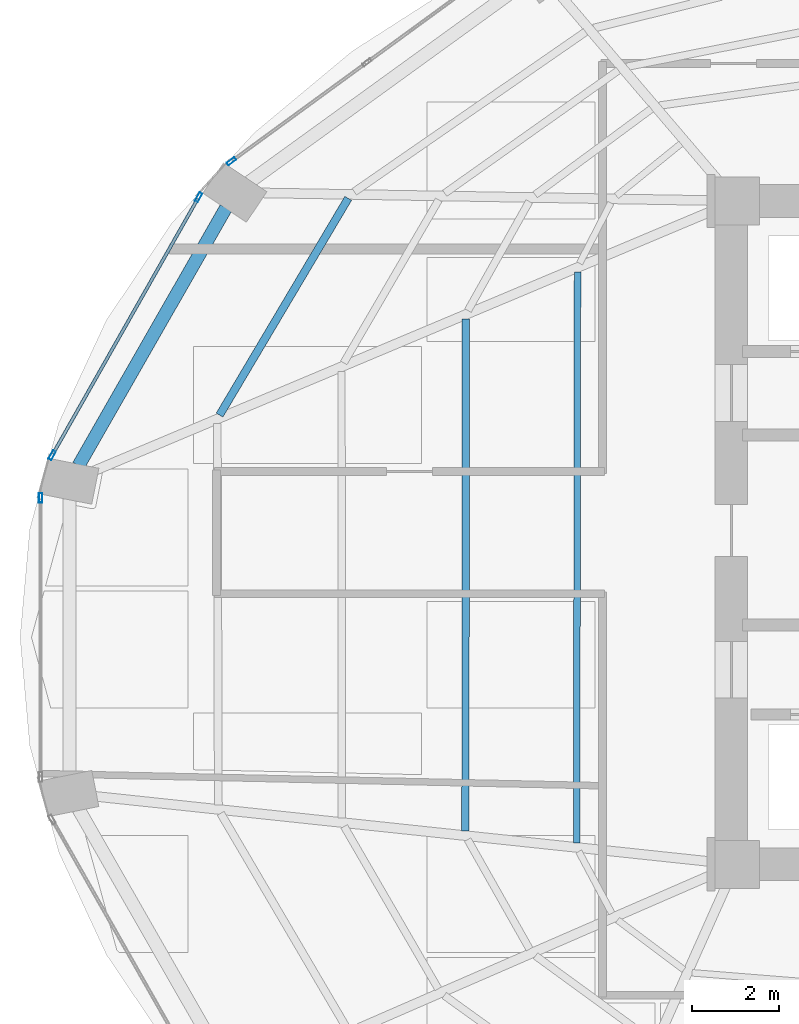
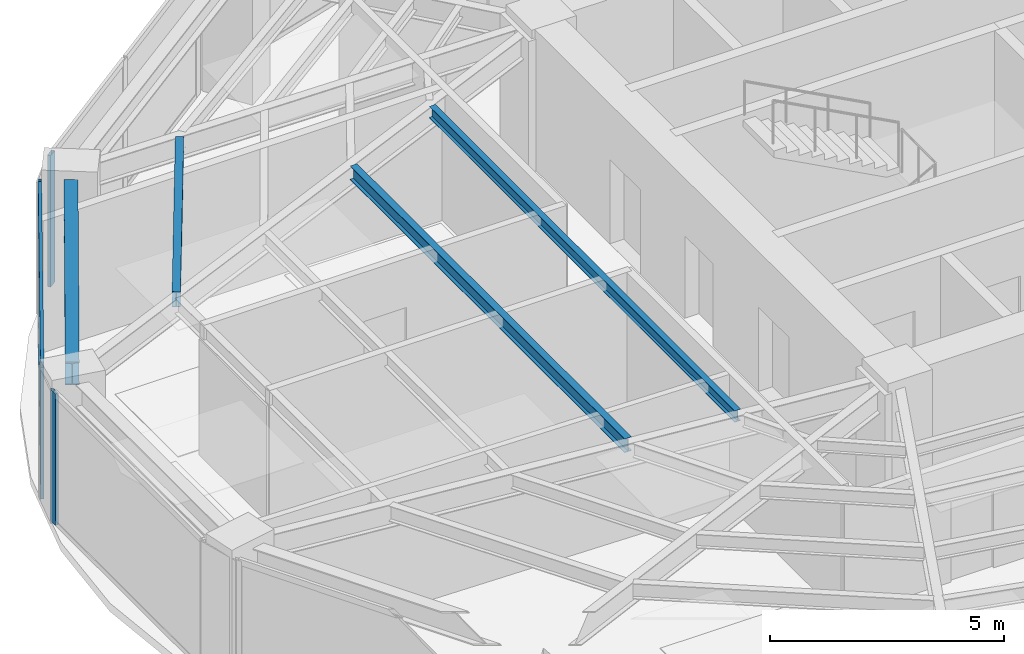
# One storey, part 8 of 23: 6 members, 4 beams, 3 elements without a shape of their own.
"""IFC4 building model written with IfcOpenShell, lengths in metres."""

from ifc_helpers import new_model, si_unit, direction, frame, origin, origin_2d, place, context, subcontext, project, spatial, hollow_rectangle, i_section, extrude, material, layer, layer_set, material_profile, profile_set, type_object, element, aggregate, save


model = new_model("IFC4")

# Units and contexts
model_context = context("Model", 3, precision=1e-05, world=origin(), true_north=direction((0.0, 1.0)))
body_context = subcontext(model_context, "Body", "Model", "MODEL_VIEW")
ifc_project = project(units=[si_unit("LENGTHUNIT", "METRE"), si_unit("AREAUNIT", "SQUARE_METRE"), si_unit("VOLUMEUNIT", "CUBIC_METRE"), si_unit("PLANEANGLEUNIT", "RADIAN"), si_unit("MASSUNIT", "GRAM", prefix="KILO")], contexts=[model_context])

# Site, building, storey
site_placement = place(None, origin())
site = spatial("IfcSite", under=ifc_project, at=site_placement, CompositionType="ELEMENT")
building_placement = place(site_placement, origin())
building = spatial("IfcBuilding", under=site, at=building_placement, Name="Lazwardi Medical Tower", CompositionType="ELEMENT")
storey_placement = place(building_placement, frame((0.0, 0.0, 85.39208984375)))
storey = spatial("IfcBuildingStorey", under=building, at=storey_placement, Name="L21", CompositionType="ELEMENT", Elevation=85.39208984375)

# Beams
ifc_material_1 = material(Name="Steel S355", Category="steel")
ifc_material_profile_1 = material_profile(ifc_material_1, i_section(OverallWidth=0.300048828125, OverallDepth=0.60009765625, WebThickness=0.015380859375, FlangeThickness=0.030029296875, at=origin_2d()), Name="HEB 600")
ifc_profile_set_1 = profile_set([ifc_material_profile_1], Name="Steel S355")
beam_type_1 = type_object("IfcBeamType", Name="BM-RB-Z2", PredefinedType="BEAM", material=ifc_profile_set_1)
beam_1_placement = place(storey_placement, frame((14.718505859375, 35.438720703125, 3.1279296875), z_axis=(-0.496653025517, -0.867949176072, 0.0), x_axis=(0.867949176072, -0.496653025517, 0.0)))
element("IfcBeam", 1, at=beam_1_placement, inside=storey, type_object=beam_type_1, Name="Ring beam RB-03 B11 L21", PredefinedType="BEAM", context=body_context, shape_type="SweptSolid", body=[
    extrude(i_section(OverallWidth=0.300048828125, OverallDepth=0.60009765625, WebThickness=0.015380859375, FlangeThickness=0.030029296875, at=origin_2d()), origin(), (0.0, 0.0, 1.0), 6.80078125),
])
ifc_material_profile_2 = material_profile(ifc_material_1, i_section(OverallWidth=0.179931640625, OverallDepth=0.39990234375, WebThickness=0.008544921875, FlangeThickness=0.013427734375, at=origin_2d()), Name="IPE 400")
ifc_profile_set_2 = profile_set([ifc_material_profile_2], Name="Steel S355")
beam_type_2 = type_object("IfcBeamType", Name="BM-SJ-01", PredefinedType="JOIST", material=ifc_profile_set_2)
beam_2_placement = place(storey_placement, frame((17.52099609375, 35.659423828125, 3.22802734375), z_axis=(-0.510499691073, -0.859877936346, 0.0), x_axis=(0.859877936346, -0.510499691073, 0.0)))
element("IfcBeam", 2, at=beam_2_placement, inside=storey, type_object=beam_type_2, Name="Secondary joist SJ-01 R1 B11 L21", PredefinedType="JOIST", context=body_context, shape_type="SweptSolid", body=[
    extrude(i_section(OverallWidth=0.179931640625, OverallDepth=0.39990234375, WebThickness=0.008544921875, FlangeThickness=0.013427734375, at=origin_2d()), origin(), (0.0, 0.0, 1.0), 5.776123046875),
])
ifc_material_profile_3 = material_profile(ifc_material_1, i_section(OverallWidth=0.169921875, OverallDepth=0.360107421875, WebThickness=0.008056640625, FlangeThickness=0.0126953125, at=origin_2d()), Name="IPE 360")
ifc_profile_set_3 = profile_set([ifc_material_profile_3], Name="Steel S355")
beam_type_3 = type_object("IfcBeamType", Name="BM-SJ-02", PredefinedType="JOIST", material=ifc_profile_set_3)
beam_3_placement = place(storey_placement, frame((20.212890625, 32.892578125, 3.247802734375), z_axis=(-0.000561961365, -0.9999998421, 0.0), x_axis=(0.9999998421, -0.000561961365, 0.0)))
element("IfcBeam", 3, at=beam_3_placement, inside=storey, type_object=beam_type_3, Name="Secondary joist SJ-02 R3 B12 L21", PredefinedType="JOIST", context=body_context, shape_type="SweptSolid", body=[
    extrude(i_section(OverallWidth=0.169921875, OverallDepth=0.360107421875, WebThickness=0.008056640625, FlangeThickness=0.0126953125, at=origin_2d()), origin(), (0.0, 0.0, 1.0), 11.72998046875),
])
ifc_material_profile_4 = material_profile(ifc_material_1, i_section(OverallWidth=0.14990234375, OverallDepth=0.300048828125, WebThickness=0.007080078125, FlangeThickness=0.0107421875, at=origin_2d()), Name="IPE 300")
ifc_profile_set_4 = profile_set([ifc_material_profile_4], Name="Steel S355")
beam_type_4 = type_object("IfcBeamType", Name="BM-SJ-03", PredefinedType="JOIST", material=ifc_profile_set_4)
beam_4_placement = place(storey_placement, frame((22.77490234375, 33.97021484375, 3.27783203125), z_axis=(-0.00156809843, -0.999998770533, 0.0), x_axis=(0.999998770533, -0.00156809843, 0.0)))
element("IfcBeam", 4, at=beam_4_placement, inside=storey, type_object=beam_type_4, Name="Secondary joist SJ-03 R4 B12 L21", PredefinedType="JOIST", context=body_context, shape_type="SweptSolid", body=[
    extrude(i_section(OverallWidth=0.14990234375, OverallDepth=0.300048828125, WebThickness=0.007080078125, FlangeThickness=0.0107421875, at=origin_2d()), origin(), (0.0, 0.0, 1.0), 13.078125),
])

# Curtain wall, member
ifc_material_2 = material(Name="Anodised bronze aluminium and solar control glazing", Category="aluminium")
ifc_layer = layer(ifc_material_2, 0.195068359375)
ifc_layer_set = layer_set([ifc_layer], Name="Anodised bronze aluminium and solar control glazing")
curtain_wall_type = type_object("IfcCurtainWallType", Name="CW-SYS-03", PredefinedType="NOTDEFINED", material=ifc_layer_set)
curtain_wall_1_placement = place(storey_placement, origin())
curtain_wall_1 = element("IfcCurtainWall", 5, at=curtain_wall_1_placement, inside=storey, type_object=curtain_wall_type, Name="L21 Unitised bronze curtain wall CW-03", PredefinedType="NOTDEFINED")
ifc_material_3 = material(Name="Anodised bronze aluminium", Category="aluminium")
ifc_material_profile_5 = material_profile(ifc_material_3, hollow_rectangle(XDim=0.074951171875, YDim=0.219970703125, WallThickness=0.00390625, at=origin_2d()), Name="ALU-MULLION 220x75x4")
ifc_profile_set_5 = profile_set([ifc_material_profile_5], Name="Anodised bronze aluminium")
member_type_1 = type_object("IfcMemberType", Name="CW-MUL-01", PredefinedType="MULLION", material=ifc_profile_set_5)
member_1_placement = place(storey_placement, frame((14.844970703125, 36.5087890625, 0.0), z_axis=(0.0, 0.0, 1.0), x_axis=(0.589530882802, -0.807745837639, 0.0)))
member_1 = element("IfcMember", 6, at=member_1_placement, type_object=member_type_1, Name="CW-03 mullion 3", PredefinedType="MULLION", context=body_context, shape_type="SweptSolid", body=[
    extrude(hollow_rectangle(XDim=0.074951171875, YDim=0.219970703125, WallThickness=0.00390625, at=origin_2d()), origin(), (0.0, 0.0, 1.0), 3.427978515625),
])
aggregate(curtain_wall_1, [member_1])

# Curtain wall, members
curtain_wall_2_placement = place(storey_placement, origin())
curtain_wall_2 = element("IfcCurtainWall", 7, at=curtain_wall_2_placement, inside=storey, type_object=curtain_wall_type, Name="L21 Unitised bronze curtain wall CW-03", PredefinedType="NOTDEFINED")
member_2_placement = place(storey_placement, frame((14.0927734375, 35.685791015625, 0.0), z_axis=(0.0, 0.0, 1.0), x_axis=(0.869687265712, -0.493603140041, 0.0)))
member_2 = element("IfcMember", 8, at=member_2_placement, type_object=member_type_1, Name="CW-03 mullion 1", PredefinedType="MULLION", context=body_context, shape_type="SweptSolid", body=[
    extrude(hollow_rectangle(XDim=0.074951171875, YDim=0.219970703125, WallThickness=0.00390625, at=origin_2d()), origin(), (0.0, 0.0, 1.0), 3.427978515625),
])
member_3_placement = place(storey_placement, frame((10.7373046875, 29.77392578125, 0.0), z_axis=(0.0, 0.0, 1.0), x_axis=(0.869687265712, -0.493603140041, 0.0)))
member_3 = element("IfcMember", 9, at=member_3_placement, type_object=member_type_1, Name="CW-03 mullion 2", PredefinedType="MULLION", context=body_context, shape_type="SweptSolid", body=[
    extrude(hollow_rectangle(XDim=0.074951171875, YDim=0.219970703125, WallThickness=0.00390625, at=origin_2d()), origin(), (0.0, 0.0, 1.0), 3.427978515625),
])

# Curtain wall, member
curtain_wall_3_placement = place(storey_placement, origin())
curtain_wall_3 = element("IfcCurtainWall", 10, at=curtain_wall_3_placement, inside=storey, type_object=curtain_wall_type, Name="L21 Unitised bronze curtain wall CW-03", PredefinedType="NOTDEFINED")
member_4_placement = place(storey_placement, frame((10.471923828125, 28.79736328125, 0.0), z_axis=(0.0, 0.0, 1.0), x_axis=(1.0, 0.0, 0.0)))
member_4 = element("IfcMember", 11, at=member_4_placement, type_object=member_type_1, Name="CW-03 mullion 1", PredefinedType="MULLION", context=body_context, shape_type="SweptSolid", body=[
    extrude(hollow_rectangle(XDim=0.074951171875, YDim=0.219970703125, WallThickness=0.00390625, at=origin_2d()), origin(), (0.0, 0.0, 1.0), 3.427978515625),
])
aggregate(curtain_wall_3, [member_4])

# Member
ifc_material_profile_6 = material_profile(ifc_material_3, hollow_rectangle(XDim=0.074951171875, YDim=0.159912109375, WallThickness=0.00390625, at=origin_2d()), Name="ALU-TRANSOM 160x75x4")
ifc_profile_set_6 = profile_set([ifc_material_profile_6], Name="Anodised bronze aluminium")
member_type_2 = type_object("IfcMemberType", Name="CW-TRN-01", PredefinedType="USERDEFINED", material=ifc_profile_set_6)
member_5_placement = place(storey_placement, frame((14.074462890625, 35.6533203125, 0.037353515625), z_axis=(-0.493614427365, -0.869680859337, 0.0), x_axis=(0.869680859337, -0.493614427365, 0.0)))
member_5 = element("IfcMember", 12, at=member_5_placement, type_object=member_type_2, Name="CW-03 transom 1.1", ObjectType="TRANSOM", PredefinedType="USERDEFINED", context=body_context, shape_type="SweptSolid", body=[
    extrude(hollow_rectangle(XDim=0.074951171875, YDim=0.159912109375, WallThickness=0.00390625, at=origin_2d()), origin(), (0.0, 0.0, 1.0), 6.72314453125),
])

member_6_placement = place(storey_placement, frame((14.074462890625, 35.6533203125, 3.390380859375), z_axis=(-0.493614427365, -0.869680859337, 0.0), x_axis=(0.869680859337, -0.493614427365, 0.0)))
member_6 = element("IfcMember", 13, at=member_6_placement, type_object=member_type_2, Name="CW-03 transom 1.2", ObjectType="TRANSOM", PredefinedType="USERDEFINED", context=body_context, shape_type="SweptSolid", body=[
    extrude(hollow_rectangle(XDim=0.074951171875, YDim=0.159912109375, WallThickness=0.00390625, at=origin_2d()), origin(), (0.0, 0.0, 1.0), 6.72314453125),
])

aggregate(curtain_wall_2, [member_2, member_3, member_5, member_6])

save(model, "model.ifc")
